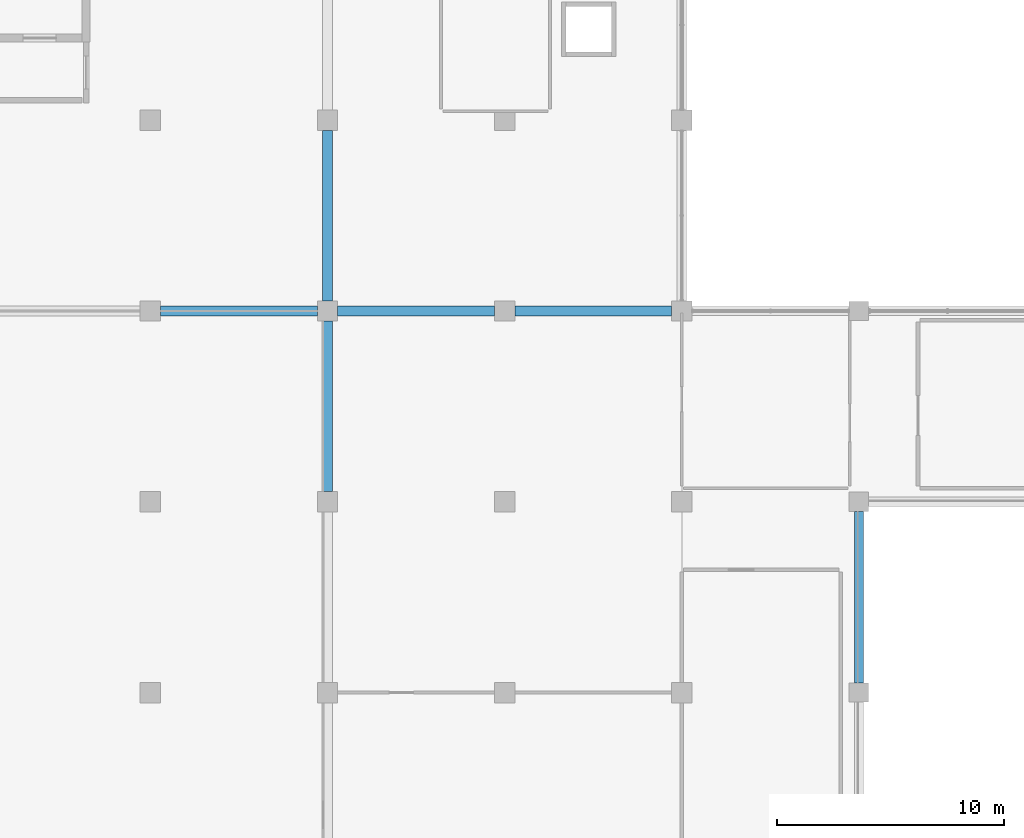
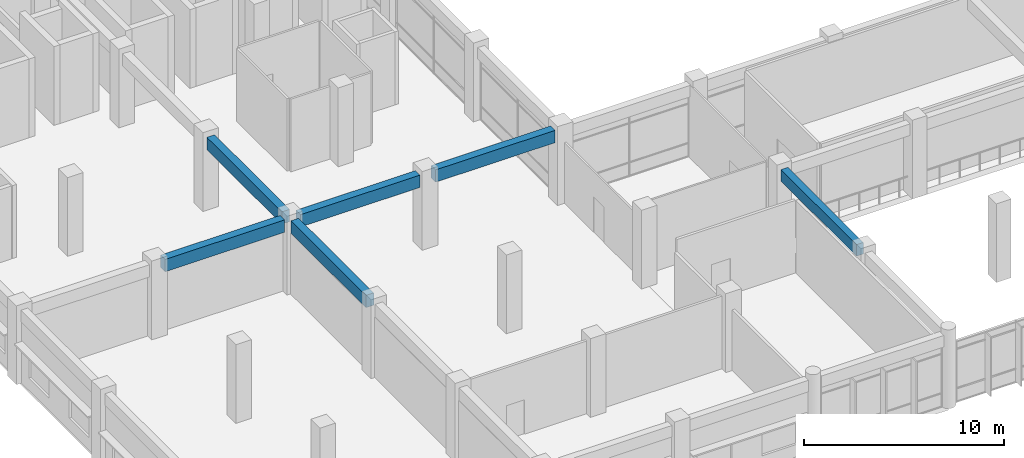
# One storey, part 4 of 79: 6 beams.
"""IFC4 building model written with IfcOpenShell, lengths in metres."""

from ifc_helpers import new_model, si_unit, direction, frame, origin, origin_2d, place, context, subcontext, project, spatial, rectangle, extrude, material, material_profile, profile_set, type_object, element, save


model = new_model("IFC4")

# Units and contexts
model_context = context("Model", 3, precision=1e-05, world=origin(), true_north=direction((0.0, 1.0)))
body_context = subcontext(model_context, "Body", "Model", "MODEL_VIEW")
ifc_project = project(units=[si_unit("LENGTHUNIT", "METRE"), si_unit("AREAUNIT", "SQUARE_METRE"), si_unit("VOLUMEUNIT", "CUBIC_METRE"), si_unit("PLANEANGLEUNIT", "RADIAN"), si_unit("MASSUNIT", "GRAM", prefix="KILO"), si_unit("THERMODYNAMICTEMPERATUREUNIT", "KELVIN"), si_unit("POWERUNIT", "WATT")], contexts=[model_context])

# Site, building, storey
site_placement = place(None, origin())
site = spatial("IfcSite", under=ifc_project, at=site_placement, CompositionType="ELEMENT")
building_placement = place(site_placement, origin())
building = spatial("IfcBuilding", under=site, at=building_placement, Name="Srebrne Nadtorze General Hospital", CompositionType="ELEMENT")
storey_placement = place(building_placement, frame((0.0, 0.0, 4.800048828125)))
storey = spatial("IfcBuildingStorey", under=building, at=storey_placement, Name="L01", CompositionType="ELEMENT", Elevation=4.800048828125)

# Beams
ifc_material_1 = material(Name="Concrete C40/50", Category="concrete")
ifc_material_profile_1 = material_profile(ifc_material_1, rectangle(XDim=0.39990234375, YDim=0.699951171875, at=origin_2d()), Name="RC-BM-400x700")
ifc_profile_set_1 = profile_set([ifc_material_profile_1], Name="Concrete C40/50")
beam_type_1 = type_object("IfcBeamType", Name="Edge beam RC 400x700", PredefinedType="BEAM", material=ifc_profile_set_1)
beam_1_placement = place(storey_placement, frame((62.39990234375, 8.824951171875, 4.099853515625), z_axis=(0.0, 1.0, 0.0), x_axis=(-1.0, 0.0, 0.0)))
element("IfcBeam", 1, at=beam_1_placement, inside=storey, type_object=beam_type_1, Name="Beam BM-L01-Y-0497", PredefinedType="BEAM", context=body_context, shape_type="SweptSolid", body=[
    extrude(rectangle(XDim=0.39990234375, YDim=0.699951171875, at=origin_2d()), origin(), (0.0, 0.0, 1.0), 7.550048828125),
])
ifc_material_2 = material(Name="Concrete C40/50", Category="concrete")
ifc_material_profile_2 = material_profile(ifc_material_2, rectangle(XDim=0.449951171875, YDim=0.75, at=origin_2d()), Name="RC-BM-450x750")
ifc_profile_set_2 = profile_set([ifc_material_profile_2], Name="Concrete C40/50")
beam_type_2 = type_object("IfcBeamType", Name="Primary beam RC 450x750", PredefinedType="BEAM", material=ifc_profile_set_2)
for number, where, z_axis, x_axis, name in (
    (2, (31.64990234375, 25.199951171875, 4.074951171875), (1.0, 0.0, 0.0), (0.0, 1.0, 0.0), "Beam BM-L01-X-0385"),
    (3, (39.449951171875, 25.199951171875, 4.074951171875), (1.0, 0.0, 0.0), (0.0, 1.0, 0.0), "Beam BM-L01-X-0386"),
):
    element("IfcBeam", number, at=place(storey_placement, frame(where, z_axis=z_axis, x_axis=x_axis)), inside=storey, type_object=beam_type_2, Name=name, PredefinedType="BEAM", context=body_context, shape_type="SweptSolid", body=[
        extrude(rectangle(XDim=0.449951171875, YDim=0.75, at=origin_2d()), origin(), (0.0, 0.0, 1.0), 6.900146484375),
    ])
beam_2_placement = place(storey_placement, frame((47.25, 25.199951171875, 4.074951171875), z_axis=(1.0, 0.0, 0.0), x_axis=(0.0, 1.0, 0.0)))
element("IfcBeam", 4, at=beam_2_placement, inside=storey, type_object=beam_type_2, Name="Beam BM-L01-X-0387", PredefinedType="BEAM", context=body_context, shape_type="SweptSolid", body=[
    extrude(rectangle(XDim=0.449951171875, YDim=0.75, at=origin_2d()), origin(), (0.0, 0.0, 1.0), 6.89990234375),
])
for number, where, z_axis, x_axis, name in (
    (5, (39.0, 17.25, 4.074951171875), (0.0, 1.0, 0.0), (-1.0, 0.0, 0.0), "Beam BM-L01-Y-0481"),
    (6, (39.0, 25.64990234375, 4.074951171875), (0.0, 1.0, 0.0), (-1.0, 0.0, 0.0), "Beam BM-L01-Y-0482"),
):
    element("IfcBeam", number, at=place(storey_placement, frame(where, z_axis=z_axis, x_axis=x_axis)), inside=storey, type_object=beam_type_2, Name=name, PredefinedType="BEAM", context=body_context, shape_type="SweptSolid", body=[
        extrude(rectangle(XDim=0.449951171875, YDim=0.75, at=origin_2d()), origin(), (0.0, 0.0, 1.0), 7.5),
    ])

save(model, "model.ifc")
